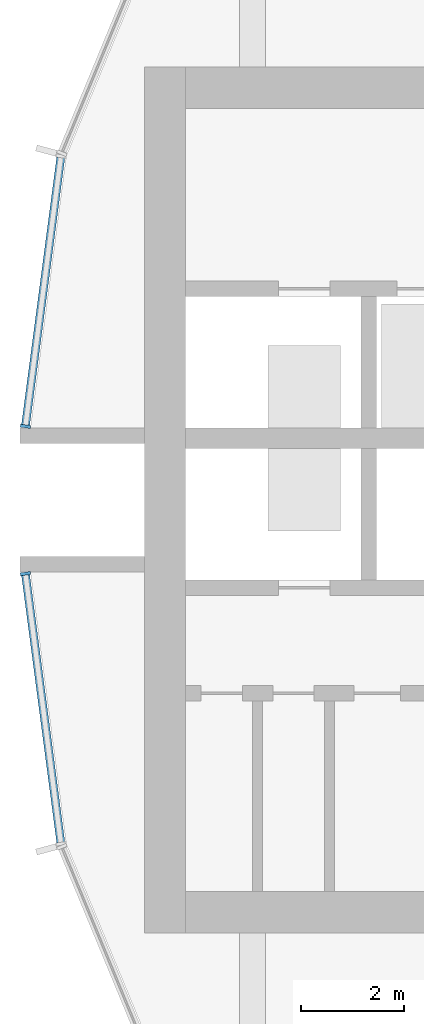
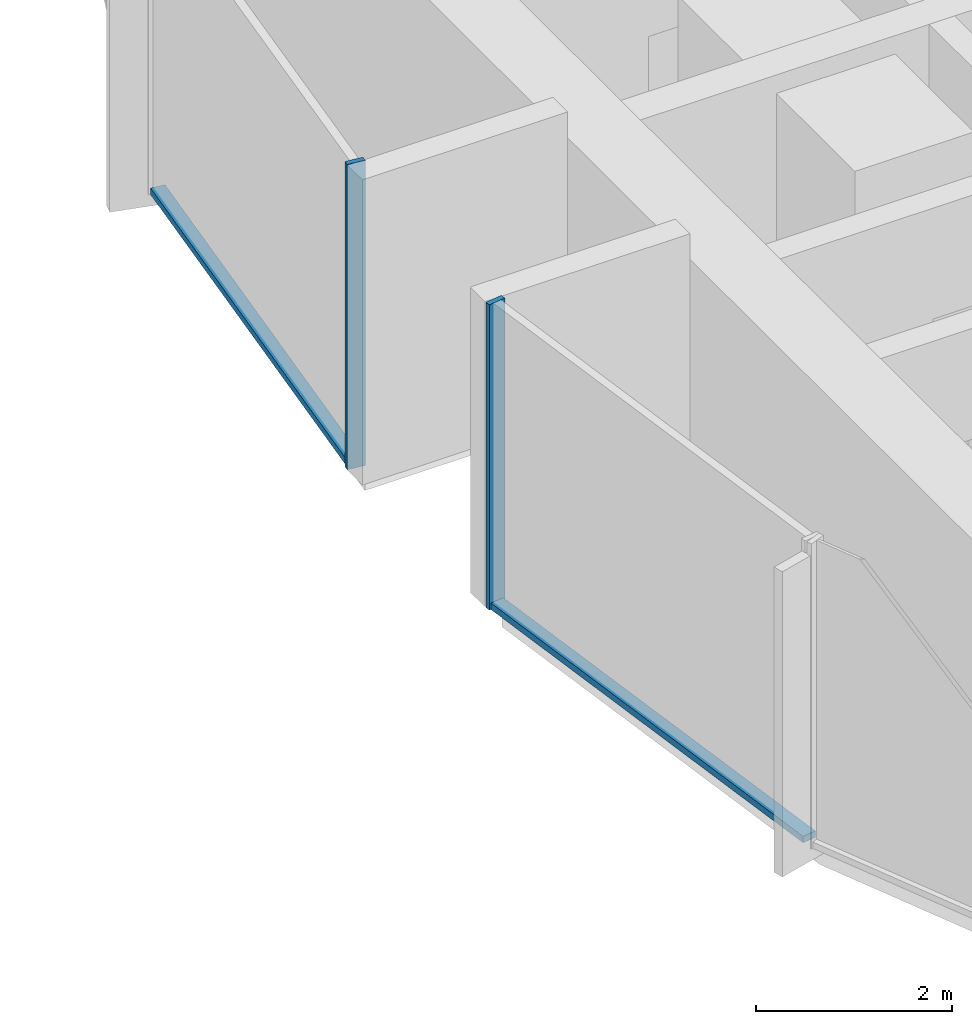
# One storey, part 3 of 15: 4 members, 2 elements without a shape of their own.
"""IFC4 building model written with IfcOpenShell, lengths in metres."""

from ifc_helpers import new_model, si_unit, direction, frame, origin, origin_2d, place, context, subcontext, project, spatial, rectangle, extrude, material, layer, layer_set, material_profile, profile_set, type_object, element, aggregate, save


model = new_model("IFC4")

# Units and contexts
model_context = context("Model", 3, precision=1e-05, world=origin(), true_north=direction((0.0, 1.0)))
body_context = subcontext(model_context, "Body", "Model", "MODEL_VIEW")
ifc_project = project(units=[si_unit("LENGTHUNIT", "METRE"), si_unit("AREAUNIT", "SQUARE_METRE"), si_unit("VOLUMEUNIT", "CUBIC_METRE"), si_unit("PLANEANGLEUNIT", "RADIAN"), si_unit("MASSUNIT", "GRAM", prefix="KILO")], contexts=[model_context])

# Site, building, storey
site_placement = place(None, origin())
site = spatial("IfcSite", under=ifc_project, at=site_placement, CompositionType="ELEMENT")
building_placement = place(site_placement, origin())
building = spatial("IfcBuilding", under=site, at=building_placement, Name="Torre Brocal", CompositionType="ELEMENT")
storey_placement = place(building_placement, frame((0.0, 0.0, 32.60009765625)))
storey = spatial("IfcBuildingStorey", under=building, at=storey_placement, Name="L06", CompositionType="ELEMENT", Elevation=32.60009765625)

# Curtain wall, member
ifc_material_1 = material(Name="Aluminium and glass", Category="aluminium")
ifc_layer = layer(ifc_material_1, 0.199951171875)
ifc_layer_set = layer_set([ifc_layer], Name="Aluminium and glass")
curtain_wall_type = type_object("IfcCurtainWallType", Name="CW-1B CURTAIN WALL 3800 HIGH", PredefinedType="NOTDEFINED", material=ifc_layer_set)
curtain_wall_1_placement = place(storey_placement, origin())
curtain_wall_1 = element("IfcCurtainWall", 1, at=curtain_wall_1_placement, inside=storey, type_object=curtain_wall_type, Name="CW-1B RUN 12", PredefinedType="NOTDEFINED")
ifc_material_2 = material(Name="Aluminium, dark anodised", Category="aluminium")
ifc_material_profile_1 = material_profile(ifc_material_2, rectangle(XDim=0.199951171875, YDim=0.06005859375, at=origin_2d()), Name="CW-1B MULLION 60X200")
ifc_profile_set_1 = profile_set([ifc_material_profile_1], Name="Aluminium, dark anodised")
member_type_1 = type_object("IfcMemberType", Name="CW-1B MULLION 60X200", PredefinedType="MULLION", material=ifc_profile_set_1)
member_1_placement = place(storey_placement, frame((54.2890625, 76.4296875, 0.0), z_axis=(0.0, 0.0, 1.0), x_axis=(0.991444861374, -0.13052619222, 0.0)))
member_1 = element("IfcMember", 2, at=member_1_placement, type_object=member_type_1, Name="CW1B-1 mullion 2", PredefinedType="MULLION", context=body_context, shape_type="SweptSolid", body=[
    extrude(rectangle(XDim=0.199951171875, YDim=0.06005859375, at=origin_2d()), origin(), (0.0, 0.0, 1.0), 3.7998046875),
])

curtain_wall_2_placement = place(storey_placement, origin())
curtain_wall_2 = element("IfcCurtainWall", 3, at=curtain_wall_2_placement, inside=storey, type_object=curtain_wall_type, Name="CW-1B RUN 13", PredefinedType="NOTDEFINED")
member_2_placement = place(storey_placement, frame((54.2890625, 73.5703125, 0.0), z_axis=(0.0, 0.0, 1.0), x_axis=(0.991444861374, 0.13052619222, 0.0)))
member_2 = element("IfcMember", 4, at=member_2_placement, type_object=member_type_1, Name="CW1B-1 mullion 1", PredefinedType="MULLION", context=body_context, shape_type="SweptSolid", body=[
    extrude(rectangle(XDim=0.199951171875, YDim=0.06005859375, at=origin_2d()), origin(), (0.0, 0.0, 1.0), 3.7998046875),
])

# Member
ifc_material_3 = material(Name="Aluminium, dark anodised", Category="aluminium")
ifc_material_profile_2 = material_profile(ifc_material_3, rectangle(XDim=0.159912109375, YDim=0.080078125, at=origin_2d()), Name="CW-1B TRANSOM 160X80")
ifc_profile_set_2 = profile_set([ifc_material_profile_2], Name="Aluminium, dark anodised")
member_type_2 = type_object("IfcMemberType", Name="CW-1B TRANSOM 160X80", PredefinedType="USERDEFINED", material=ifc_profile_set_2)
member_3_placement = place(storey_placement, frame((54.9755859375, 81.643798828125, 0.039794921875), z_axis=(-0.130542677827, -0.991442690863, 0.0), x_axis=(0.991442690863, -0.130542677827, 0.0)))
member_3 = element("IfcMember", 5, at=member_3_placement, type_object=member_type_2, Name="CW1B-1 transom 1.1", ObjectType="TRANSOM", PredefinedType="USERDEFINED", context=body_context, shape_type="SweptSolid", body=[
    extrude(rectangle(XDim=0.159912109375, YDim=0.080078125, at=origin_2d()), origin(), (0.0, 0.0, 1.0), 5.22900390625),
])

aggregate(curtain_wall_1, [member_1, member_3])

member_4_placement = place(storey_placement, frame((54.29296875, 73.54052734375, 0.039794921875), z_axis=(0.130542677827, -0.991442690863, 0.0), x_axis=(0.991442690863, 0.130542677827, 0.0)))
member_4 = element("IfcMember", 6, at=member_4_placement, type_object=member_type_2, Name="CW1B-1 transom 1.1", ObjectType="TRANSOM", PredefinedType="USERDEFINED", context=body_context, shape_type="SweptSolid", body=[
    extrude(rectangle(XDim=0.159912109375, YDim=0.080078125, at=origin_2d()), origin(), (0.0, 0.0, 1.0), 5.22900390625),
])

aggregate(curtain_wall_2, [member_2, member_4])

save(model, "model.ifc")
